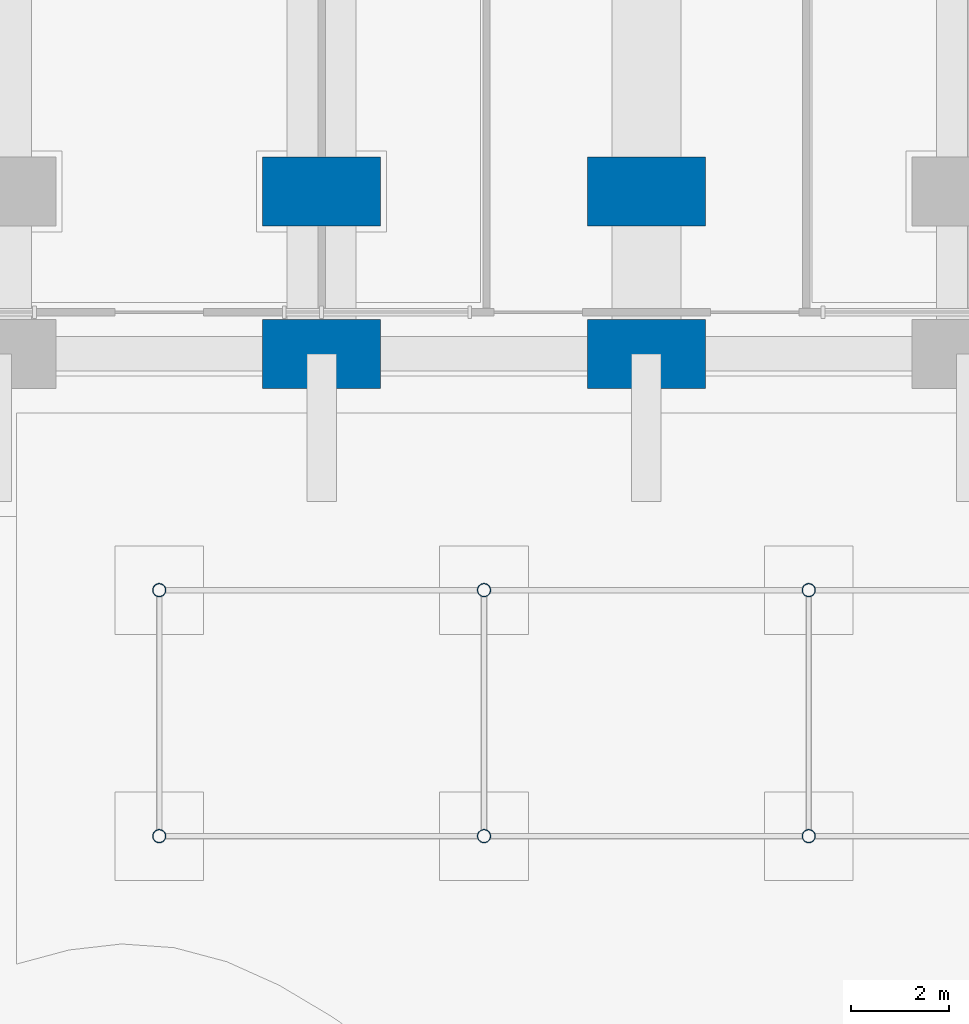
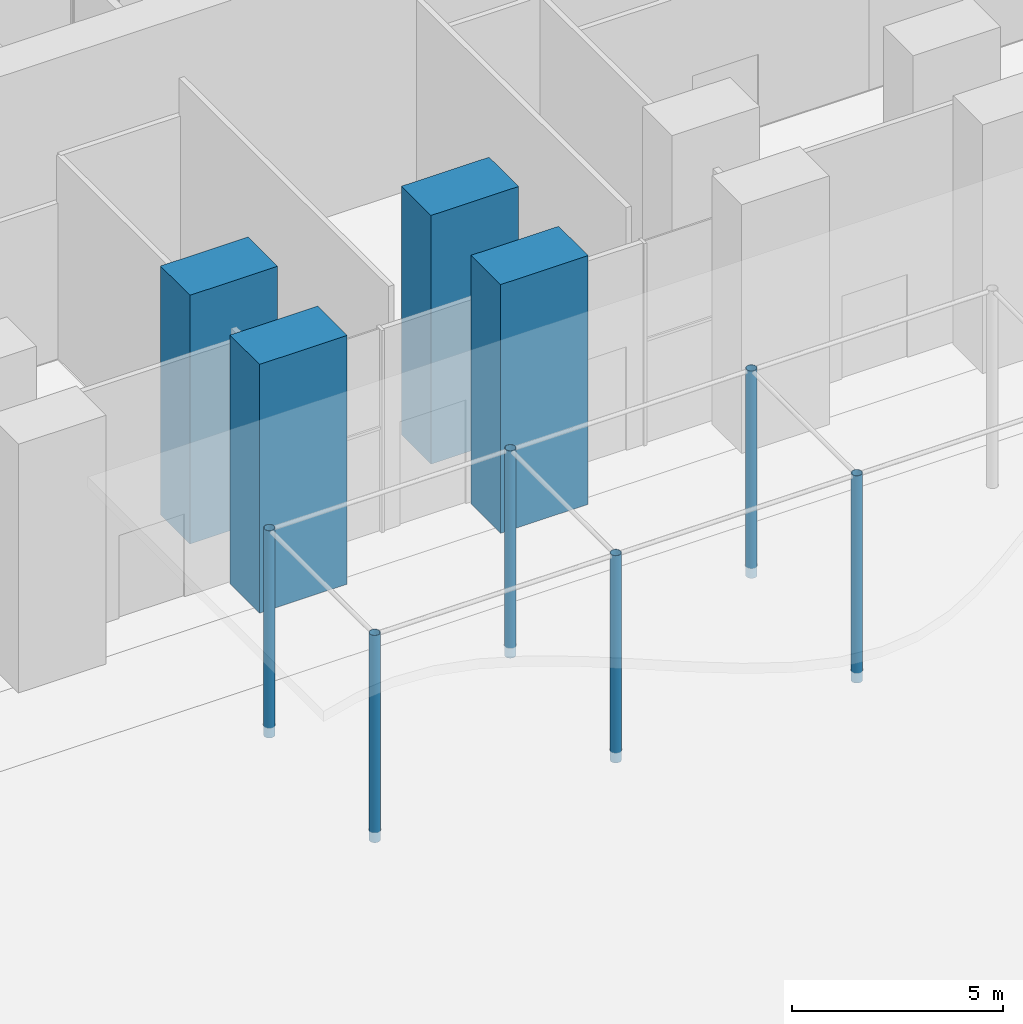
# One storey, part 2 of 32: 10 columns.
"""IFC4 building model written with IfcOpenShell, lengths in metres."""

from ifc_helpers import new_model, si_unit, direction, frame, origin, origin_2d, place, context, subcontext, project, spatial, rectangle, hollow_circle, extrude, material, material_profile, profile_set, type_object, element, save


model = new_model("IFC4")

# Units and contexts
model_context = context("Model", 3, precision=1e-05, world=origin(), true_north=direction((0.0, 1.0)))
body_context = subcontext(model_context, "Body", "Model", "MODEL_VIEW")
ifc_project = project(units=[si_unit("LENGTHUNIT", "METRE"), si_unit("AREAUNIT", "SQUARE_METRE"), si_unit("VOLUMEUNIT", "CUBIC_METRE"), si_unit("PLANEANGLEUNIT", "RADIAN"), si_unit("MASSUNIT", "GRAM", prefix="KILO")], contexts=[model_context])

# Site, building, storey
site_placement = place(None, origin())
site = spatial("IfcSite", under=ifc_project, at=site_placement, CompositionType="ELEMENT")
building_placement = place(site_placement, origin())
building = spatial("IfcBuilding", under=site, at=building_placement, Name="Cobogo Forest Laboratory Tower", CompositionType="ELEMENT")
storey_placement = place(building_placement, origin())
storey = spatial("IfcBuildingStorey", under=building, at=storey_placement, Name="L00", CompositionType="ELEMENT", Elevation=0.0)

# Columns
ifc_material_1 = material(Name="Concrete HA-50 (C50/60)", Category="concrete")
ifc_material_profile_1 = material_profile(ifc_material_1, rectangle(XDim=2.39990234375, YDim=1.39990234375, at=origin_2d()), Name="RC 1400x2400")
ifc_profile_set_1 = profile_set([ifc_material_profile_1], Name="Concrete HA-50 (C50/60)")
column_type_1 = type_object("IfcColumnType", Name="Blade column 1400x2400", PredefinedType="COLUMN", material=ifc_profile_set_1)
for number, where, z_axis, x_axis, name in (
    (1, (19.800048828125, 0.0, 0.0), (0.0, 0.0, 1.0), (1.0, 0.0, 0.0), "Column 4-A L00"),
    (2, (26.39990234375, 0.0, 0.0), (0.0, 0.0, 1.0), (1.0, 0.0, 0.0), "Column 5-A L00"),
    (3, (19.800048828125, 3.300048828125, 0.0), (0.0, 0.0, 1.0), (1.0, 0.0, 0.0), "Column 4-A.1-C L00"),
    (4, (26.39990234375, 3.300048828125, 0.0), (0.0, 0.0, 1.0), (1.0, 0.0, 0.0), "Column 5-A.1-C L00"),
):
    element("IfcColumn", number, at=place(storey_placement, frame(where, z_axis=z_axis, x_axis=x_axis)), inside=storey, type_object=column_type_1, Name=name, PredefinedType="COLUMN", context=body_context, shape_type="SweptSolid", body=[
        extrude(rectangle(XDim=2.39990234375, YDim=1.39990234375, at=origin_2d()), origin(), (0.0, 0.0, 1.0), 7.199951171875),
    ])
ifc_material_2 = material(Name="Steel S355", Category="steel")
ifc_material_profile_2 = material_profile(ifc_material_2, hollow_circle(Radius=0.136474609375, WallThickness=0.010009765625, at=origin_2d()), Name="CHS 273x10")
ifc_profile_set_2 = profile_set([ifc_material_profile_2], Name="Steel S355")
column_type_2 = type_object("IfcColumnType", Name="Marquise column CHS 273x10", PredefinedType="COLUMN", material=ifc_profile_set_2)
for number, where, z_axis, x_axis, name in (
    (5, (16.5, -4.800048828125, -0.300048828125), (0.0, 0.0, 1.0), (1.0, 0.0, 0.0), "Marquise column MQ1"),
    (6, (23.10009765625, -4.800048828125, -0.300048828125), (0.0, 0.0, 1.0), (1.0, 0.0, 0.0), "Marquise column MQ2"),
    (7, (29.699951171875, -4.800048828125, -0.300048828125), (0.0, 0.0, 1.0), (1.0, 0.0, 0.0), "Marquise column MQ3"),
    (8, (16.5, -9.800048828125, -0.300048828125), (0.0, 0.0, 1.0), (1.0, 0.0, 0.0), "Marquise column MQ5"),
    (9, (23.10009765625, -9.800048828125, -0.300048828125), (0.0, 0.0, 1.0), (1.0, 0.0, 0.0), "Marquise column MQ6"),
    (10, (29.699951171875, -9.800048828125, -0.300048828125), (0.0, 0.0, 1.0), (1.0, 0.0, 0.0), "Marquise column MQ7"),
):
    element("IfcColumn", number, at=place(storey_placement, frame(where, z_axis=z_axis, x_axis=x_axis)), inside=storey, type_object=column_type_2, Name=name, PredefinedType="COLUMN", context=body_context, shape_type="SweptSolid", body=[
        extrude(hollow_circle(Radius=0.136474609375, WallThickness=0.010009765625, at=origin_2d()), origin(), (0.0, 0.0, 1.0), 6.0),
    ])

save(model, "model.ifc")
